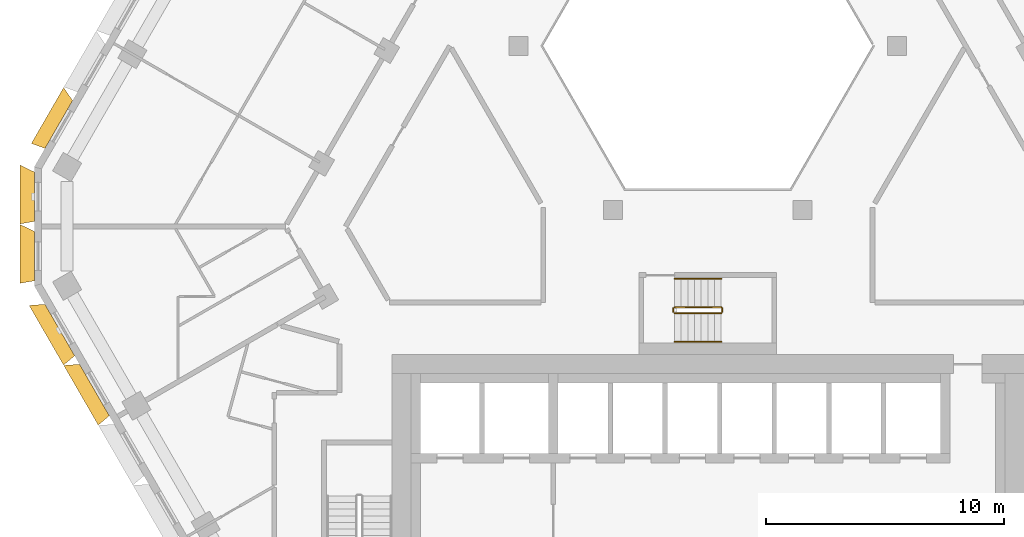
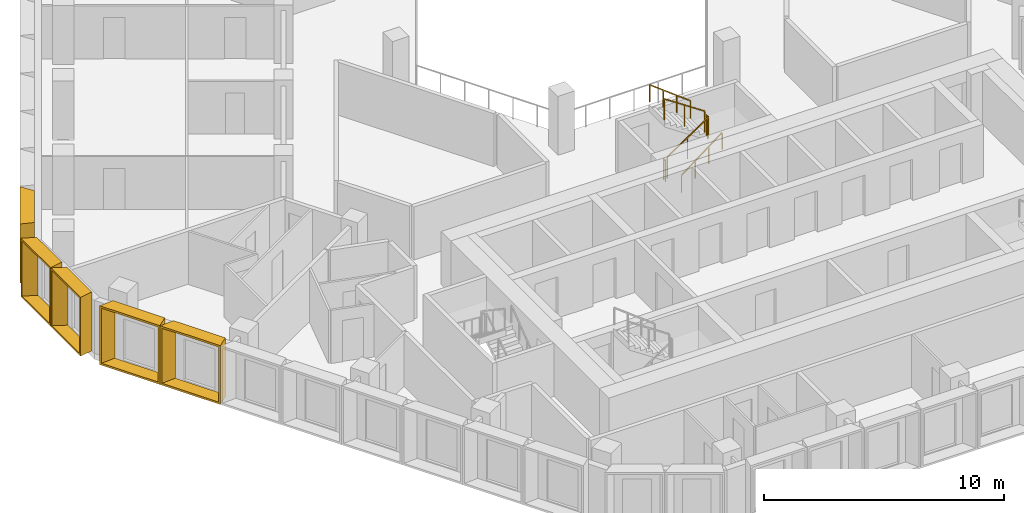
# One storey, part 15 of 17: 6 railings, 5 shading devices.
"""IFC4 building model written with IfcOpenShell, lengths in metres."""

from ifc_helpers import new_model, entity, si_unit, direction, frame, origin, origin_2d, place, context, subcontext, project, spatial, rectangle, extrude, source, transform, mapped, material, type_object, type_shapes, element, save


model = new_model("IFC4")

# Units and contexts
model_context = context("Model", 3, precision=1e-05, world=origin(), true_north=direction((0.0, 1.0)))
body_context = subcontext(model_context, "Body", "Model", "MODEL_VIEW")
ifc_project = project(units=[si_unit("LENGTHUNIT", "METRE"), si_unit("AREAUNIT", "SQUARE_METRE"), si_unit("VOLUMEUNIT", "CUBIC_METRE"), si_unit("PLANEANGLEUNIT", "RADIAN"), si_unit("MASSUNIT", "GRAM", prefix="KILO")], contexts=[model_context])

# Site, building, storey
site_placement = place(None, origin())
site = spatial("IfcSite", under=ifc_project, at=site_placement, CompositionType="ELEMENT")
building_placement = place(site_placement, origin())
building = spatial("IfcBuilding", under=site, at=building_placement, Name="Beryl Residences", CompositionType="ELEMENT")
storey_placement = place(building_placement, frame((0.0, 0.0, 144.60009765625)))
storey = spatial("IfcBuildingStorey", under=building, at=storey_placement, Name="L44", CompositionType="ELEMENT", Elevation=144.60009765625)

# Shading devices
ifc_material_1 = material(Name="Aluminium pale anodised", Category="aluminium")
shading_device_type_1 = type_object("IfcShadingDeviceType", Name="FR250-60B OUTER SKIN frame 600 mm deep, splay 26/10 deg, 2500 x 3000 mm cell", PredefinedType="USERDEFINED", material=ifc_material_1)
cartesian_point_1 = entity("IfcCartesianPoint", [-1.04052734375, 0.0])
cartesian_point_2 = entity("IfcCartesianPoint", [-0.951416015625, 0.10009765625])
cartesian_point_3 = entity("IfcCartesianPoint", [-1.333251953125, 0.0])
cartesian_point_4 = entity("IfcCartesianPoint", [-1.244140625, 0.10009765625])
shared_shape_1 = source(origin(), body_context, "Body", "SweptSolid", [
    entity("IfcExtrudedAreaSolidTapered", entity("IfcArbitraryProfileDefWithVoids", "AREA", None, entity("IfcPolyline", [cartesian_point_1, entity("IfcCartesianPoint", [1.04052734375, 0.0]), entity("IfcCartesianPoint", [1.04052734375, 3.0]), entity("IfcCartesianPoint", [-1.04052734375, 3.0]), cartesian_point_1]), [entity("IfcPolyline", [cartesian_point_2, entity("IfcCartesianPoint", [0.959228515625, 0.10009765625]), entity("IfcCartesianPoint", [0.959228515625, 2.89990234375]), entity("IfcCartesianPoint", [-0.951416015625, 2.89990234375]), cartesian_point_2])]), entity("IfcAxis2Placement3D", entity("IfcCartesianPoint", [0.0, 0.0, 0.0]), entity("IfcDirection", [0.0, 1.0, 0.0]), entity("IfcDirection", [-1.0, 0.0, 0.0])), entity("IfcDirection", [0.0, 0.0, 1.0]), 0.60009765625, entity("IfcArbitraryProfileDefWithVoids", "AREA", None, entity("IfcPolyline", [cartesian_point_3, entity("IfcCartesianPoint", [1.146240234375, 0.0]), entity("IfcCartesianPoint", [1.146240234375, 3.0]), entity("IfcCartesianPoint", [-1.333251953125, 3.0]), cartesian_point_3]), [entity("IfcPolyline", [cartesian_point_4, entity("IfcCartesianPoint", [1.06494140625, 0.10009765625]), entity("IfcCartesianPoint", [1.06494140625, 2.89990234375]), entity("IfcCartesianPoint", [-1.244140625, 2.89990234375]), cartesian_point_4])])),
])
type_shapes(shading_device_type_1, [shared_shape_1])
for number, where, z_axis, x_axis, name in (
    (1, (-28.347900390625, 1.64990234375, 0.0), (0.0, 0.0, 1.0), (0.0, 1.0, 0.0), "FR250-60B frame L44 NW-SW 1"),
    (2, (-28.347900390625, -0.85009765625, 0.0), (0.0, 0.0, 1.0), (0.0, 1.0, 0.0), "FR250-60B frame L44 NW-SW 2"),
):
    element("IfcShadingDevice", number, at=place(storey_placement, frame(where, z_axis=z_axis, x_axis=x_axis)), inside=storey, type_object=shading_device_type_1, Name=name, ObjectType="OUTER SKIN", PredefinedType="USERDEFINED", context=body_context, shape_type="MappedRepresentation", body=[
        mapped(shared_shape_1, transform((0.0, 0.0, 0.0))),
    ])
ifc_material_2 = material(Name="Aluminium pale anodised", Category="aluminium")
shading_device_type_2 = type_object("IfcShadingDeviceType", Name="FR274-60B OUTER SKIN frame 600 mm deep, splay 26/10 deg, 2740 x 3000 mm cell", PredefinedType="USERDEFINED", material=ifc_material_2)
cartesian_point_5 = entity("IfcCartesianPoint", [-1.160400390625, 0.0])
cartesian_point_6 = entity("IfcCartesianPoint", [-1.071533203125, 0.10009765625])
cartesian_point_7 = entity("IfcCartesianPoint", [-1.453125, 0.0])
cartesian_point_8 = entity("IfcCartesianPoint", [-1.364013671875, 0.10009765625])
shared_shape_2 = source(origin(), body_context, "Body", "SweptSolid", [
    entity("IfcExtrudedAreaSolidTapered", entity("IfcArbitraryProfileDefWithVoids", "AREA", None, entity("IfcPolyline", [cartesian_point_5, entity("IfcCartesianPoint", [1.160400390625, 0.0]), entity("IfcCartesianPoint", [1.160400390625, 3.0]), entity("IfcCartesianPoint", [-1.160400390625, 3.0]), cartesian_point_5]), [entity("IfcPolyline", [cartesian_point_6, entity("IfcCartesianPoint", [1.079345703125, 0.10009765625]), entity("IfcCartesianPoint", [1.079345703125, 2.89990234375]), entity("IfcCartesianPoint", [-1.071533203125, 2.89990234375]), cartesian_point_6])]), entity("IfcAxis2Placement3D", entity("IfcCartesianPoint", [0.0, 0.0, 0.0]), entity("IfcDirection", [0.0, 1.0, 0.0]), entity("IfcDirection", [-1.0, 0.0, 0.0])), entity("IfcDirection", [0.0, 0.0, 1.0]), 0.60009765625, entity("IfcArbitraryProfileDefWithVoids", "AREA", None, entity("IfcPolyline", [cartesian_point_7, entity("IfcCartesianPoint", [1.266357421875, 0.0]), entity("IfcCartesianPoint", [1.266357421875, 3.0]), entity("IfcCartesianPoint", [-1.453125, 3.0]), cartesian_point_7]), [entity("IfcPolyline", [cartesian_point_8, entity("IfcCartesianPoint", [1.18505859375, 0.10009765625]), entity("IfcCartesianPoint", [1.18505859375, 2.89990234375]), entity("IfcCartesianPoint", [-1.364013671875, 2.89990234375]), cartesian_point_8])])),
])
type_shapes(shading_device_type_2, [shared_shape_2])
shading_device_placement = place(storey_placement, frame((-27.31591796875, 4.68701171875, 0.0), z_axis=(0.0, 0.0, 1.0), x_axis=(0.5, 0.866025403784, 0.0)))
element("IfcShadingDevice", 3, at=shading_device_placement, inside=storey, type_object=shading_device_type_2, Name="FR274-60B frame L44 NW 8", ObjectType="OUTER SKIN", PredefinedType="USERDEFINED", context=body_context, shape_type="MappedRepresentation", body=[
    mapped(shared_shape_2, transform((0.0, 0.0, 0.0))),
])
ifc_material_3 = material(Name="Aluminium pale anodised", Category="aluminium")
shading_device_type_3 = type_object("IfcShadingDeviceType", Name="FR292-60B OUTER SKIN frame 600 mm deep, splay 26/10 deg, 2920 x 3000 mm cell", PredefinedType="USERDEFINED", material=ifc_material_3)
cartesian_point_9 = entity("IfcCartesianPoint", [-1.25048828125, 0.0])
cartesian_point_10 = entity("IfcCartesianPoint", [-1.161376953125, 0.10009765625])
cartesian_point_11 = entity("IfcCartesianPoint", [-1.543212890625, 0.0])
cartesian_point_12 = entity("IfcCartesianPoint", [-1.4541015625, 0.10009765625])
shared_shape_3 = source(origin(), body_context, "Body", "SweptSolid", [
    entity("IfcExtrudedAreaSolidTapered", entity("IfcArbitraryProfileDefWithVoids", "AREA", None, entity("IfcPolyline", [cartesian_point_9, entity("IfcCartesianPoint", [1.25048828125, 0.0]), entity("IfcCartesianPoint", [1.25048828125, 3.0]), entity("IfcCartesianPoint", [-1.25048828125, 3.0]), cartesian_point_9]), [entity("IfcPolyline", [cartesian_point_10, entity("IfcCartesianPoint", [1.169189453125, 0.10009765625]), entity("IfcCartesianPoint", [1.169189453125, 2.89990234375]), entity("IfcCartesianPoint", [-1.161376953125, 2.89990234375]), cartesian_point_10])]), entity("IfcAxis2Placement3D", entity("IfcCartesianPoint", [0.0, 0.0, 0.0]), entity("IfcDirection", [0.0, 1.0, 0.0]), entity("IfcDirection", [-1.0, 0.0, 0.0])), entity("IfcDirection", [0.0, 0.0, 1.0]), 0.60009765625, entity("IfcArbitraryProfileDefWithVoids", "AREA", None, entity("IfcPolyline", [cartesian_point_11, entity("IfcCartesianPoint", [1.356201171875, 0.0]), entity("IfcCartesianPoint", [1.356201171875, 3.0]), entity("IfcCartesianPoint", [-1.543212890625, 3.0]), cartesian_point_11]), [entity("IfcPolyline", [cartesian_point_12, entity("IfcCartesianPoint", [1.275146484375, 0.10009765625]), entity("IfcCartesianPoint", [1.275146484375, 2.89990234375]), entity("IfcCartesianPoint", [-1.4541015625, 2.89990234375]), cartesian_point_12])])),
])
type_shapes(shading_device_type_3, [shared_shape_3])
for number, where, z_axis, x_axis, name in (
    (4, (-27.27294921875, -3.9619140625, 0.0), (0.0, 0.0, 1.0), (-0.5, 0.866025403784, 0.0), "FR292-60B frame L44 SW 1"),
    (5, (-25.81494140625, -6.487060546875, 0.0), (0.0, 0.0, 1.0), (-0.5, 0.866025403784, 0.0), "FR292-60B frame L44 SW 2"),
):
    element("IfcShadingDevice", number, at=place(storey_placement, frame(where, z_axis=z_axis, x_axis=x_axis)), inside=storey, type_object=shading_device_type_3, Name=name, ObjectType="OUTER SKIN", PredefinedType="USERDEFINED", context=body_context, shape_type="MappedRepresentation", body=[
        mapped(shared_shape_3, transform((0.0, 0.0, 0.0))),
    ])

# Railings
ifc_material_4 = material(Name="Stainless steel balustrade with glass infill", Category="steel")
railing_type_1 = type_object("IfcRailingType", Name="SG1 stair guard 1100 mm", PredefinedType="GUARDRAIL", material=ifc_material_4)
railing_1_placement = place(storey_placement, frame((-1.39990234375, -3.25, 0.1875)))
element("IfcRailing", 6, at=railing_1_placement, inside=storey, type_object=railing_type_1, Name="L44 ST-4 stair guard 1", PredefinedType="GUARDRAIL", context=body_context, shape_type="SweptSolid", body=[
    extrude(rectangle(XDim=0.048095703125, YDim=0.048095703125, at=origin_2d()), frame((0.0, 0.0, 1.076171875), z_axis=(0.830902050051, 0.0, 0.556418712142), x_axis=(0.0, 1.0, 0.0)), (0.0, 0.0, 1.0), 2.35888671875),
    extrude(rectangle(XDim=0.0419921875, YDim=0.0419921875, at=origin_2d()), origin(), (0.0, 0.0, 1.0), 1.052001953125),
    extrude(rectangle(XDim=0.0419921875, YDim=0.0419921875, at=origin_2d()), frame((0.97998046875, 0.0, 0.65625)), (0.0, 0.0, 1.0), 1.052001953125),
    extrude(rectangle(XDim=0.0419921875, YDim=0.0419921875, at=origin_2d()), frame((1.9599609375, 0.0, 1.3125)), (0.0, 0.0, 1.0), 1.052001953125),
])
railing_2_placement = place(storey_placement, frame((0.610107421875, -3.199951171875, 1.5)))
element("IfcRailing", 7, at=railing_2_placement, inside=storey, type_object=railing_type_1, Name="L44 ST-4 stair guard 2", PredefinedType="GUARDRAIL", context=body_context, shape_type="SweptSolid", body=[
    extrude(rectangle(XDim=0.048095703125, YDim=0.048095703125, at=origin_2d()), frame((0.0, 0.0, 1.076171875), z_axis=(0.0, 1.0, 0.0), x_axis=(-1.0, 0.0, 0.0)), (0.0, 0.0, 1.0), 0.14990234375),
    extrude(rectangle(XDim=0.0419921875, YDim=0.0419921875, at=origin_2d()), origin(), (0.0, 0.0, 1.0), 1.052001953125),
    extrude(rectangle(XDim=0.0419921875, YDim=0.0419921875, at=origin_2d()), frame((0.0, 0.14990234375, 0.0)), (0.0, 0.0, 1.0), 1.052001953125),
])
railing_3_placement = place(storey_placement, frame((0.56005859375, -3.0, 1.6875)))
element("IfcRailing", 8, at=railing_3_placement, inside=storey, type_object=railing_type_1, Name="L44 ST-4 stair guard 3", PredefinedType="GUARDRAIL", context=body_context, shape_type="SweptSolid", body=[
    extrude(rectangle(XDim=0.048095703125, YDim=0.048095703125, at=origin_2d()), frame((0.0, 0.0, 1.076171875), z_axis=(-0.830902050051, 0.0, 0.556418712142), x_axis=(0.0, -1.0, 0.0)), (0.0, 0.0, 1.0), 2.35888671875),
    extrude(rectangle(XDim=0.0419921875, YDim=0.0419921875, at=origin_2d()), origin(), (0.0, 0.0, 1.0), 1.052001953125),
    extrude(rectangle(XDim=0.0419921875, YDim=0.0419921875, at=origin_2d()), frame((-0.97998046875, 0.0, 0.65625)), (0.0, 0.0, 1.0), 1.052001953125),
    extrude(rectangle(XDim=0.0419921875, YDim=0.0419921875, at=origin_2d()), frame((-1.9599609375, 0.0, 1.3125)), (0.0, 0.0, 1.0), 1.052001953125),
])
railing_4_placement = place(storey_placement, frame((-1.449951171875, -3.199951171875, 0.0)))
element("IfcRailing", 9, at=railing_4_placement, inside=storey, type_object=railing_type_1, Name="L44 ST-4 stair guard 4", PredefinedType="GUARDRAIL", context=body_context, shape_type="SweptSolid", body=[
    extrude(rectangle(XDim=0.048095703125, YDim=0.048095703125, at=origin_2d()), frame((0.0, 0.0, 1.076171875), z_axis=(0.0, 1.0, 0.0), x_axis=(-1.0, 0.0, 0.0)), (0.0, 0.0, 1.0), 0.14990234375),
    extrude(rectangle(XDim=0.0419921875, YDim=0.0419921875, at=origin_2d()), origin(), (0.0, 0.0, 1.0), 1.052001953125),
    extrude(rectangle(XDim=0.0419921875, YDim=0.0419921875, at=origin_2d()), frame((0.0, 0.14990234375, 0.0)), (0.0, 0.0, 1.0), 1.052001953125),
])
ifc_material_5 = material(Name="Stainless steel handrail", Category="steel")
railing_type_2 = type_object("IfcRailingType", Name="SRL1 stair handrail 900 mm", PredefinedType="HANDRAIL", material=ifc_material_5)
railing_5_placement = place(storey_placement, frame((-1.39990234375, -4.449951171875, 0.1875)))
element("IfcRailing", 10, at=railing_5_placement, inside=storey, type_object=railing_type_2, Name="L44 ST-4 stair handrail 1", PredefinedType="HANDRAIL", context=body_context, shape_type="SweptSolid", body=[
    extrude(rectangle(XDim=0.048095703125, YDim=0.048095703125, at=origin_2d()), frame((0.0, 0.0, 0.8759765625), z_axis=(0.794121922505, 0.0, 0.607758481798), x_axis=(0.0, 1.0, 0.0)), (0.0, 0.0, 1.0), 2.468017578125),
    extrude(rectangle(XDim=0.0419921875, YDim=0.0419921875, at=origin_2d()), origin(), (0.0, 0.0, 1.0), 0.851806640625),
    extrude(rectangle(XDim=0.0419921875, YDim=0.0419921875, at=origin_2d()), frame((0.6533203125, 0.0, 0.5)), (0.0, 0.0, 1.0), 0.851806640625),
    extrude(rectangle(XDim=0.0419921875, YDim=0.0419921875, at=origin_2d()), frame((1.306640625, 0.0, 1.0)), (0.0, 0.0, 1.0), 0.851806640625),
    extrude(rectangle(XDim=0.0419921875, YDim=0.0419921875, at=origin_2d()), frame((1.9599609375, 0.0, 1.5)), (0.0, 0.0, 1.0), 0.851806640625),
])
railing_6_placement = place(storey_placement, frame((0.56005859375, -1.800048828125, 1.6875)))
element("IfcRailing", 11, at=railing_6_placement, inside=storey, type_object=railing_type_2, Name="L44 ST-4 stair handrail 2", PredefinedType="HANDRAIL", context=body_context, shape_type="SweptSolid", body=[
    extrude(rectangle(XDim=0.048095703125, YDim=0.048095703125, at=origin_2d()), frame((0.0, 0.0, 0.8759765625), z_axis=(-0.794121922505, 0.0, 0.607758481798), x_axis=(0.0, -1.0, 0.0)), (0.0, 0.0, 1.0), 2.468017578125),
    extrude(rectangle(XDim=0.0419921875, YDim=0.0419921875, at=origin_2d()), origin(), (0.0, 0.0, 1.0), 0.851806640625),
    extrude(rectangle(XDim=0.0419921875, YDim=0.0419921875, at=origin_2d()), frame((-0.6533203125, 0.0, 0.5)), (0.0, 0.0, 1.0), 0.851806640625),
    extrude(rectangle(XDim=0.0419921875, YDim=0.0419921875, at=origin_2d()), frame((-1.306640625, 0.0, 1.0)), (0.0, 0.0, 1.0), 0.851806640625),
    extrude(rectangle(XDim=0.0419921875, YDim=0.0419921875, at=origin_2d()), frame((-1.9599609375, 0.0, 1.5)), (0.0, 0.0, 1.0), 0.851806640625),
])

save(model, "model.ifc")
